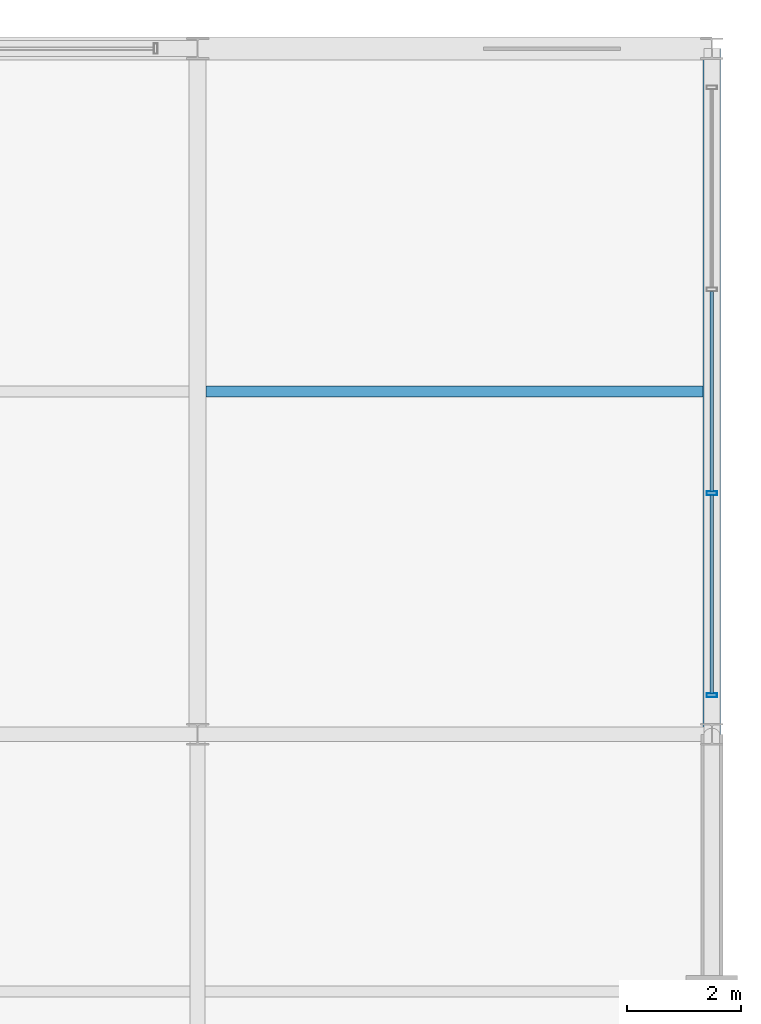
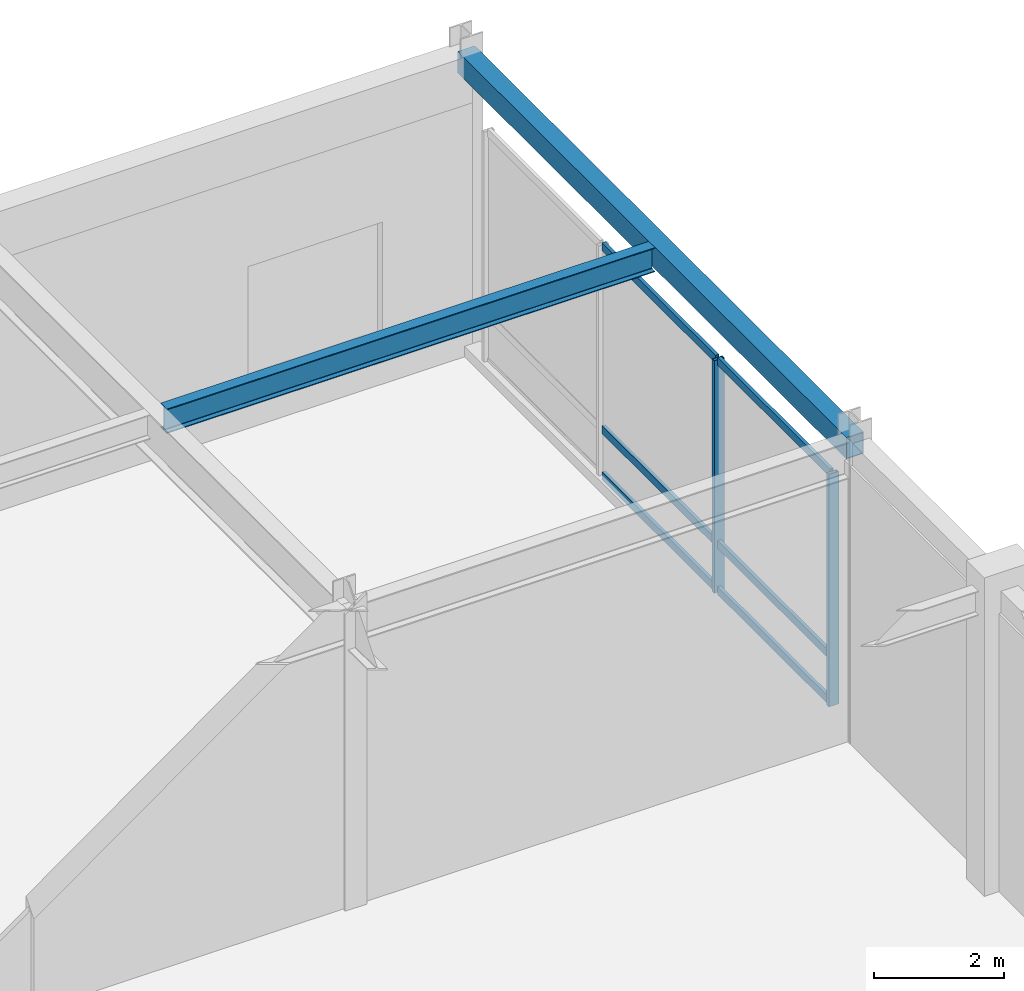
# One storey, part 81 of 108: 8 members, 2 beams, 1 element without a shape of its own.
"""IFC4 building model written with IfcOpenShell, lengths in metres."""

import ifcopenshell
import ifcopenshell.guid

model = None  # the IFC model being written
_history = None  # IfcOwnerHistory: only IFC2X3 demands one
_inside = {}  # id of a spatial element -> (the spatial element, [elements in it])
_under = {}  # id of a project, library or spatial element -> (it, [spatial elements below it])
_declared = {}  # id of a project -> (the project, [libraries it declares])
_typed = {}  # id of a type object -> (the type object, [elements of that type])
_made_of = {}  # id of a material, layer set ... -> (it, [elements and type objects made of it])


def new_model(schema):
    """Start an empty IFC model of exactly this schema.

    Asked for "IFC4X3", IfcOpenShell would pick the latest addendum, in which some entities
    have other attributes; the version numbers below select the first issue.
    IFC2X3 requires an IfcOwnerHistory on every rooted entity: one is made here for all.
    """
    global model, _history
    if schema == "IFC4X3":
        model = ifcopenshell.file(schema_version=(4, 3, 0, 0))
    else:
        model = ifcopenshell.file(schema=schema)
    _inside.clear()
    _under.clear()
    _declared.clear()
    _typed.clear()
    _made_of.clear()
    _history = None
    if model.schema == "IFC2X3":
        org = make("IfcOrganization", Name="unknown")
        user = make(
            "IfcPersonAndOrganization",
            ThePerson=make("IfcPerson", FamilyName="unknown"),
            TheOrganization=org,
        )
        app = make(
            "IfcApplication",
            ApplicationDeveloper=org,
            Version="unknown",
            ApplicationFullName="unknown",
            ApplicationIdentifier="unknown",
        )
        _history = make(
            "IfcOwnerHistory",
            OwningUser=user,
            OwningApplication=app,
            ChangeAction="ADDED",
            CreationDate=0,
        )
    return model


def make(cls, **values):
    """One entity of the class cls with the attributes given. An attribute that is None is left unset."""
    return model.create_entity(
        cls, **{name: value for name, value in values.items() if value is not None}
    )


def rooted(cls, **values):
    """An entity with a GlobalId (a new one), such as an element, a storey or a relation."""
    return make(cls, GlobalId=ifcopenshell.guid.new(), OwnerHistory=_history, **values)


def si_unit(unit_type, name, prefix=None):
    """IfcSIUnit, for example si_unit("LENGTHUNIT", "METRE", prefix="MILLI")."""
    return make("IfcSIUnit", UnitType=unit_type, Prefix=prefix, Name=name)


def assignment(units):
    """IfcUnitAssignment: the units of a project."""
    return None if units is None else make("IfcUnitAssignment", Units=units)


def point(xyz):
    """IfcCartesianPoint."""
    return None if xyz is None else make("IfcCartesianPoint", Coordinates=xyz)


def direction(xyz):
    """IfcDirection."""
    return None if xyz is None else make("IfcDirection", DirectionRatios=xyz)


def frame(location, z_axis=None, x_axis=None):
    """IfcAxis2Placement3D, a coordinate frame: its origin and axes. An axis left out is left unset."""
    return make(
        "IfcAxis2Placement3D",
        Location=point(location),
        Axis=direction(z_axis),
        RefDirection=direction(x_axis),
    )


def frame_2d(location, x_axis=None):
    """IfcAxis2Placement2D, a coordinate frame in the plane: its origin and x axis."""
    return make(
        "IfcAxis2Placement2D", Location=point(location), RefDirection=direction(x_axis)
    )


def origin():
    """The frame at (0, 0, 0) with its axes left unset."""
    return frame((0.0, 0.0, 0.0))


def origin_2d():
    """The frame at (0, 0) in the plane with its x axis left unset."""
    return frame_2d((0.0, 0.0))


def place(relative_to, where):
    """IfcLocalPlacement: puts the frame where relative to a parent placement (None: the world)."""
    return make(
        "IfcLocalPlacement", PlacementRelTo=relative_to, RelativePlacement=where
    )


def context(
    kind, dimensions, precision=None, world=None, true_north=None, identifier=None
):
    """IfcGeometricRepresentationContext, for example the 3D "Model" context."""
    return make(
        "IfcGeometricRepresentationContext",
        ContextIdentifier=identifier,
        ContextType=kind,
        CoordinateSpaceDimension=dimensions,
        Precision=precision,
        WorldCoordinateSystem=world,
        TrueNorth=true_north,
    )


def subcontext(parent, identifier, kind, view, scale=None):
    """IfcGeometricRepresentationSubContext, for example "Body" below "Model"."""
    return make(
        "IfcGeometricRepresentationSubContext",
        ContextIdentifier=identifier,
        ContextType=kind,
        ParentContext=parent,
        TargetScale=scale,
        TargetView=view,
    )


def project(units=None, contexts=None):
    """IfcProject with its units and contexts."""
    return rooted(
        "IfcProject",
        Name="project",
        RepresentationContexts=contexts,
        UnitsInContext=assignment(units),
    )


def spatial(cls, under=None, at=None, **own):
    """A site, building, storey or space (cls), placed at a placement, below another one or the project."""
    s = rooted(cls, ObjectPlacement=at, **own)
    if under is not None:
        _under.setdefault(under.id(), (under, []))[1].append(s)
    return s


def profile(cls, at=None, kind="AREA", **sizes):
    """A parametric profile (cls). Its sizes go by their IFC names, for example OverallWidth=200.0."""
    return make(cls, ProfileType=kind, Position=at, **sizes)


def hollow_rectangle(**sizes):
    """IfcRectangleHollowProfileDef."""
    return profile("IfcRectangleHollowProfileDef", **sizes)


def i_section(**sizes):
    """IfcIShapeProfileDef."""
    return profile("IfcIShapeProfileDef", **sizes)


def extrude(swept, where, along, depth):
    """IfcExtrudedAreaSolid: the profile swept, set in the frame where, extruded along a direction by depth."""
    return make(
        "IfcExtrudedAreaSolid",
        SweptArea=swept,
        Position=where,
        ExtrudedDirection=direction(along),
        Depth=depth,
    )


def shape(context_of_items, identifier, shape_type, items):
    """IfcShapeRepresentation: the items that make up one representation, for example the "Body"."""
    return make(
        "IfcShapeRepresentation",
        ContextOfItems=context_of_items,
        RepresentationIdentifier=identifier,
        RepresentationType=shape_type,
        Items=items,
    )


def material(Name=None, Category=None):
    """IfcMaterial."""
    return make("IfcMaterial", Name=Name, Category=Category)


def material_profile(
    of_material, cross_section, Name=None, Category=None, Priority=None
):
    """IfcMaterialProfile: a cross section and its material."""
    return make(
        "IfcMaterialProfile",
        Name=Name,
        Material=of_material,
        Profile=cross_section,
        Priority=Priority,
        Category=Category,
    )


def profile_set(profiles, Name=None, composite=None):
    """IfcMaterialProfileSet."""
    return make(
        "IfcMaterialProfileSet",
        Name=Name,
        MaterialProfiles=profiles,
        CompositeProfile=composite,
    )


def made_of(thing, what):
    """Note that an element or type object is made of a material, layer set ...; save() writes the relation."""
    if what is not None:
        _made_of.setdefault(what.id(), (what, []))[1].append(thing)
    return thing


def type_object(cls, material=None, **own):
    """A type object (cls), such as IfcWallType, which elements share."""
    return made_of(rooted(cls, **own), material)


def element(
    cls,
    number,
    at=None,
    inside=None,
    cuts=None,
    type_object=None,
    material=None,
    context=None,
    identifier="Body",
    shape_type=None,
    held_by="IfcProductDefinitionShape",
    body=None,
    shapes=None,
    **own,
):
    """One element of the class cls, such as IfcWall. Its Tag is "e" and its number.

    at: its placement. inside: the storey or other place that contains it. cuts: it is an
    opening in that element (IfcRelVoidsElement). A single representation is given by context,
    identifier, shape_type and body (its items); several are given by shapes. held_by: the class
    of the entity that holds the representations. save() writes the other relations.
    """
    e = rooted(cls, Tag="e%d" % number, ObjectPlacement=at, **own)
    if body is not None:
        shapes = [shape(context, identifier, shape_type, body)]
    if shapes is not None:
        e.Representation = make(held_by, Representations=shapes)
    if inside is not None:
        _inside.setdefault(inside.id(), (inside, []))[1].append(e)
    if cuts is not None:
        rooted(
            "IfcRelVoidsElement", RelatingBuildingElement=cuts, RelatedOpeningElement=e
        )
    if type_object is not None:
        _typed.setdefault(type_object.id(), (type_object, []))[1].append(e)
    return made_of(e, material)


def aggregate(whole, parts):
    """IfcRelAggregates: a whole, such as a stair, and the parts it consists of."""
    return rooted("IfcRelAggregates", RelatingObject=whole, RelatedObjects=parts)


def save(model, path):
    """Write the relations noted so far, then the file.

    IfcRelAggregates (storeys below a building ...), IfcRelContainedInSpatialStructure (elements
    in a storey), IfcRelDefinesByType, IfcRelAssociatesMaterial and IfcRelDeclares: one each for
    every whole, place, type object, material and project.
    """
    for whole, parts in _under.values():
        aggregate(whole, parts)
    for where, things in _inside.values():
        rooted(
            "IfcRelContainedInSpatialStructure",
            RelatedElements=things,
            RelatingStructure=where,
        )
    for kind, things in _typed.values():
        rooted("IfcRelDefinesByType", RelatedObjects=things, RelatingType=kind)
    for what, things in _made_of.values():
        rooted("IfcRelAssociatesMaterial", RelatedObjects=things, RelatingMaterial=what)
    for by, libraries in _declared.values():
        rooted("IfcRelDeclares", RelatingContext=by, RelatedDefinitions=libraries)
    model.write(path)


model = new_model("IFC4")

# Units and contexts
model_context = context("Model", 3, precision=1e-05, world=origin(), true_north=direction((0.0, 1.0)))
body_context = subcontext(model_context, "Body", "Model", "MODEL_VIEW")
ifc_project = project(units=[si_unit("LENGTHUNIT", "METRE"), si_unit("AREAUNIT", "SQUARE_METRE"), si_unit("VOLUMEUNIT", "CUBIC_METRE"), si_unit("PLANEANGLEUNIT", "RADIAN"), si_unit("MASSUNIT", "GRAM", prefix="KILO")], contexts=[model_context])

# Site, building, storey
site_placement = place(None, origin())
site = spatial("IfcSite", under=ifc_project, at=site_placement, CompositionType="ELEMENT")
building_placement = place(site_placement, origin())
building = spatial("IfcBuilding", under=site, at=building_placement, Name="Kaldorvane Square Convention Centre", CompositionType="ELEMENT")
storey_placement = place(building_placement, frame((0.0, 0.0, 12.0)))
storey = spatial("IfcBuildingStorey", under=building, at=storey_placement, Name="L02", CompositionType="ELEMENT", Elevation=12.0)

# Beams
ifc_material_1 = material(Name="Steel ASTM A992 Gr. 50", Category="steel")
ifc_material_profile_1 = material_profile(ifc_material_1, i_section(OverallWidth=0.1912994384765625, OverallDepth=0.4600067138671875, WebThickness=0.0099029541015625, FlangeThickness=0.0160064697265625, FilletRadius=0.01019287109375, at=origin_2d()), Name="W18X55")
ifc_profile_set_1 = profile_set([ifc_material_profile_1], Name="Steel ASTM A992 Gr. 50")
beam_type_1 = type_object("IfcBeamType", Name="BM-JS-W18X55", PredefinedType="JOIST", material=ifc_profile_set_1)
beam_1_placement = place(storey_placement, frame((165.14649963378906, 111.0, 5.4160003662109375), z_axis=(1.0, 0.0, 0.0), x_axis=(0.0, 1.0, 0.0)))
element("IfcBeam", 1, at=beam_1_placement, inside=storey, type_object=beam_type_1, Name="Secondary Floor Joist (L02)", PredefinedType="JOIST", context=body_context, shape_type="SweptSolid", body=[
    extrude(i_section(OverallWidth=0.1912994384765625, OverallDepth=0.4600067138671875, WebThickness=0.0099029541015625, FlangeThickness=0.0160064697265625, FilletRadius=0.01019287109375, at=origin_2d()), origin(), (0.0, 0.0, 1.0), 8.701095581054688),
])
ifc_material_2 = material(Name="Steel ASTM A500 Gr. C", Category="steel")
ifc_material_profile_2 = material_profile(ifc_material_2, hollow_rectangle(XDim=0.3047943115234375, YDim=0.406402587890625, WallThickness=0.0117950439453125, at=origin_2d()), Name="HSS16X12X1/2")
ifc_profile_set_2 = profile_set([ifc_material_profile_2], Name="Steel ASTM A500 Gr. C")
beam_type_2 = type_object("IfcBeamType", Name="BM-SP-HSS16", PredefinedType="SPANDREL", material=ifc_profile_set_2)
beam_2_placement = place(storey_placement, frame((174.0, 105.0, 5.4427947998046875), z_axis=(0.0, 1.0, 0.0), x_axis=(-1.0, 0.0, 0.0)))
element("IfcBeam", 2, at=beam_2_placement, inside=storey, type_object=beam_type_2, Name="End Spandrel (L02)", PredefinedType="SPANDREL", context=body_context, shape_type="SweptSolid", body=[
    extrude(hollow_rectangle(XDim=0.3047943115234375, YDim=0.406402587890625, WallThickness=0.0117950439453125, at=origin_2d()), origin(), (0.0, 0.0, 1.0), 12.0),
])

# Curtain wall, members
ifc_material_3 = material(Name="Anodized Aluminum and Low-E Insulated Glazing", Category="aluminium")
curtain_wall_type = type_object("IfcCurtainWallType", Name="CW-UNI-P60-09", PredefinedType="USERDEFINED", material=ifc_material_3)
curtain_wall_placement = place(storey_placement, origin())
curtain_wall = element("IfcCurtainWall", 3, at=curtain_wall_placement, inside=storey, type_object=curtain_wall_type, Name="Curtain Wall CW-02 (L02)", ObjectType="UNITISED GLAZING", PredefinedType="USERDEFINED")
ifc_material_profile_3 = material_profile(ifc_material_3, hollow_rectangle(XDim=0.06500244140625, YDim=0.17999267578125, WallThickness=0.0034942626953125, at=origin_2d()), Name="CWM-180X65")
ifc_profile_set_3 = profile_set([ifc_material_profile_3], Name="Anodized Aluminum and Low-E Insulated Glazing")
member_type_1 = type_object("IfcMemberType", Name="CW-MUL-180", PredefinedType="MULLION", material=ifc_profile_set_3)
member_1_placement = place(storey_placement, frame((174.0, 105.6824951171875, 0.149993896484375), z_axis=(0.0, 0.0, 1.0), x_axis=(0.0, 1.0, 0.0)))
member_1 = element("IfcMember", 4, at=member_1_placement, type_object=member_type_1, Name="CW-02 mullion 1", PredefinedType="MULLION", context=body_context, shape_type="SweptSolid", body=[
    extrude(hollow_rectangle(XDim=0.06500244140625, YDim=0.17999267578125, WallThickness=0.0034942626953125, at=origin_2d()), origin(), (0.0, 0.0, 1.0), 4.3800048828125),
])
member_2_placement = place(storey_placement, frame((174.0, 109.21665954589844, 0.149993896484375), z_axis=(0.0, 0.0, 1.0), x_axis=(0.0, 1.0, 0.0)))
member_2 = element("IfcMember", 5, at=member_2_placement, type_object=member_type_1, Name="CW-02 mullion 2", PredefinedType="MULLION", context=body_context, shape_type="SweptSolid", body=[
    extrude(hollow_rectangle(XDim=0.06500244140625, YDim=0.17999267578125, WallThickness=0.0034942626953125, at=origin_2d()), origin(), (0.0, 0.0, 1.0), 4.3800048828125),
])
ifc_material_profile_4 = material_profile(ifc_material_3, hollow_rectangle(XDim=0.05999755859375, YDim=0.149993896484375, WallThickness=0.003204345703125, at=origin_2d()), Name="CWT-150X60")
ifc_profile_set_4 = profile_set([ifc_material_profile_4], Name="Anodized Aluminum and Low-E Insulated Glazing")
member_type_2 = type_object("IfcMemberType", Name="CW-TRN-150", PredefinedType="USERDEFINED", material=ifc_profile_set_4)
member_3_placement = place(storey_placement, frame((174.0, 105.71499633789062, 0.17999267578125), z_axis=(0.0, 1.0, 0.0), x_axis=(-1.0, 0.0, 0.0)))
member_3 = element("IfcMember", 6, at=member_3_placement, type_object=member_type_2, Name="CW-02 transom 1.1", ObjectType="TRANSOM", PredefinedType="USERDEFINED", context=body_context, shape_type="SweptSolid", body=[
    extrude(hollow_rectangle(XDim=0.05999755859375, YDim=0.149993896484375, WallThickness=0.003204345703125, at=origin_2d()), origin(), (0.0, 0.0, 1.0), 3.46917724609375),
])
member_4_placement = place(storey_placement, frame((174.0, 105.71499633789062, 1.0500030517578125), z_axis=(0.0, 1.0, 0.0), x_axis=(-1.0, 0.0, 0.0)))
member_4 = element("IfcMember", 7, at=member_4_placement, type_object=member_type_2, Name="CW-02 transom 1.2", ObjectType="TRANSOM", PredefinedType="USERDEFINED", context=body_context, shape_type="SweptSolid", body=[
    extrude(hollow_rectangle(XDim=0.05999755859375, YDim=0.149993896484375, WallThickness=0.003204345703125, at=origin_2d()), origin(), (0.0, 0.0, 1.0), 3.46917724609375),
])
member_5_placement = place(storey_placement, frame((174.0, 105.71499633789062, 4.5), z_axis=(0.0, 1.0, 0.0), x_axis=(-1.0, 0.0, 0.0)))
member_5 = element("IfcMember", 8, at=member_5_placement, type_object=member_type_2, Name="CW-02 transom 1.3", ObjectType="TRANSOM", PredefinedType="USERDEFINED", context=body_context, shape_type="SweptSolid", body=[
    extrude(hollow_rectangle(XDim=0.05999755859375, YDim=0.149993896484375, WallThickness=0.003204345703125, at=origin_2d()), origin(), (0.0, 0.0, 1.0), 3.46917724609375),
])
member_6_placement = place(storey_placement, frame((174.0, 109.24916076660156, 0.17999267578125), z_axis=(0.0, 1.0, 0.0), x_axis=(-1.0, 0.0, 0.0)))
member_6 = element("IfcMember", 9, at=member_6_placement, type_object=member_type_2, Name="CW-02 transom 2.1", ObjectType="TRANSOM", PredefinedType="USERDEFINED", context=body_context, shape_type="SweptSolid", body=[
    extrude(hollow_rectangle(XDim=0.05999755859375, YDim=0.149993896484375, WallThickness=0.003204345703125, at=origin_2d()), origin(), (0.0, 0.0, 1.0), 3.501678466796875),
])
member_7_placement = place(storey_placement, frame((174.0, 109.24916076660156, 1.0500030517578125), z_axis=(0.0, 1.0, 0.0), x_axis=(-1.0, 0.0, 0.0)))
member_7 = element("IfcMember", 10, at=member_7_placement, type_object=member_type_2, Name="CW-02 transom 2.2", ObjectType="TRANSOM", PredefinedType="USERDEFINED", context=body_context, shape_type="SweptSolid", body=[
    extrude(hollow_rectangle(XDim=0.05999755859375, YDim=0.149993896484375, WallThickness=0.003204345703125, at=origin_2d()), origin(), (0.0, 0.0, 1.0), 3.501678466796875),
])
member_8_placement = place(storey_placement, frame((174.0, 109.24916076660156, 4.5), z_axis=(0.0, 1.0, 0.0), x_axis=(-1.0, 0.0, 0.0)))
member_8 = element("IfcMember", 11, at=member_8_placement, type_object=member_type_2, Name="CW-02 transom 2.3", ObjectType="TRANSOM", PredefinedType="USERDEFINED", context=body_context, shape_type="SweptSolid", body=[
    extrude(hollow_rectangle(XDim=0.05999755859375, YDim=0.149993896484375, WallThickness=0.003204345703125, at=origin_2d()), origin(), (0.0, 0.0, 1.0), 3.501678466796875),
])
aggregate(curtain_wall, [member_1, member_2, member_3, member_4, member_5, member_6, member_7, member_8])

save(model, "model.ifc")
